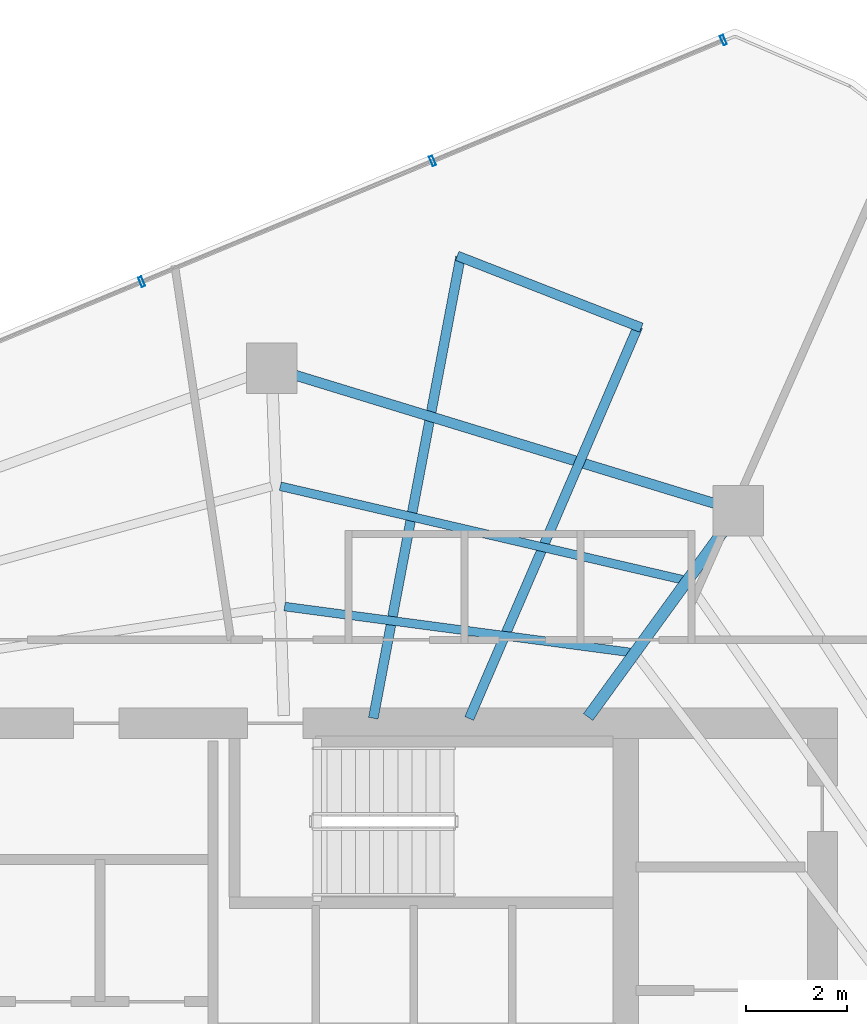
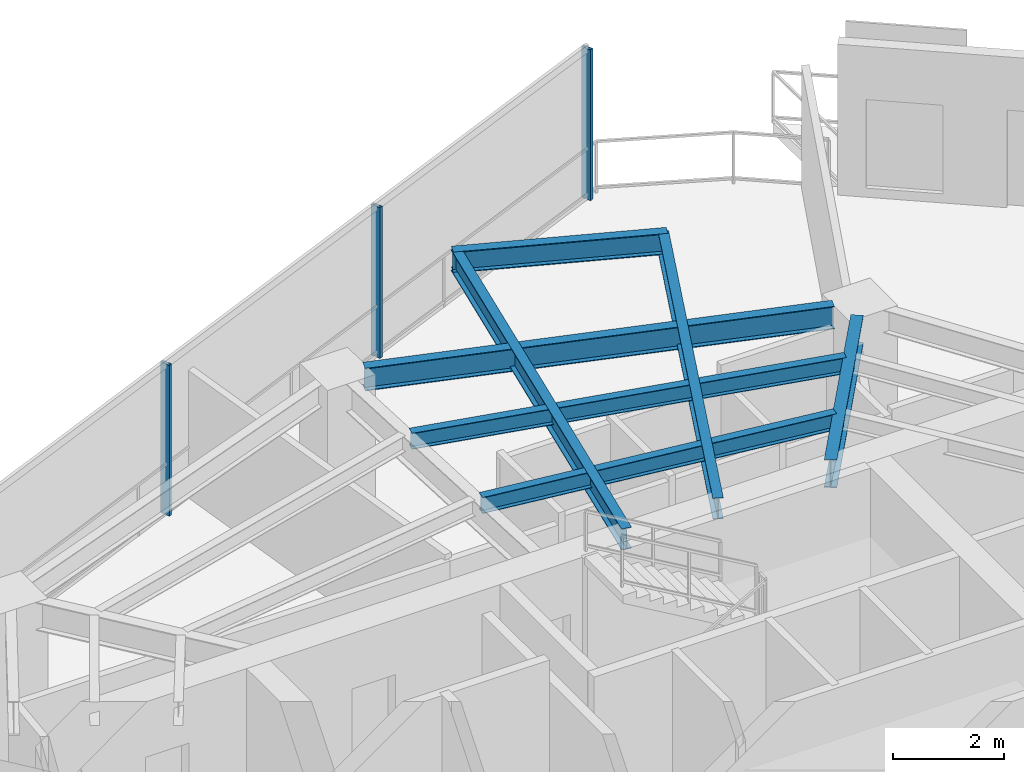
# One storey, part 13 of 20: 7 beams, 3 members, 1 element without a shape of its own.
"""IFC4 building model written with IfcOpenShell, lengths in metres."""

from ifc_helpers import new_model, si_unit, direction, frame, origin, origin_2d, place, context, subcontext, project, spatial, hollow_rectangle, i_section, extrude, material, layer, layer_set, material_profile, profile_set, type_object, element, aggregate, save


model = new_model("IFC4")

# Units and contexts
model_context = context("Model", 3, precision=1e-05, world=origin(), true_north=direction((0.0, 1.0)))
body_context = subcontext(model_context, "Body", "Model", "MODEL_VIEW")
ifc_project = project(units=[si_unit("LENGTHUNIT", "METRE"), si_unit("AREAUNIT", "SQUARE_METRE"), si_unit("VOLUMEUNIT", "CUBIC_METRE"), si_unit("PLANEANGLEUNIT", "RADIAN"), si_unit("MASSUNIT", "GRAM", prefix="KILO")], contexts=[model_context])

# Site, building, storey
site_placement = place(None, origin())
site = spatial("IfcSite", under=ifc_project, at=site_placement, CompositionType="ELEMENT")
building_placement = place(site_placement, origin())
building = spatial("IfcBuilding", under=site, at=building_placement, Name="Qarnah Convention Tower", CompositionType="ELEMENT")
storey_placement = place(building_placement, frame((0.0, 0.0, 150.89990234375)))
storey = spatial("IfcBuildingStorey", under=building, at=storey_placement, Name="L40", CompositionType="ELEMENT", Elevation=150.89990234375)

# Beams
ifc_material_1 = material(Name="Structural steel S355JR", Category="steel")
ifc_material_profile_1 = material_profile(ifc_material_1, i_section(OverallWidth=0.19189453125, OverallDepth=0.464111328125, WebThickness=0.010986328125, FlangeThickness=0.01806640625, at=origin_2d()), Name="W460X89")
ifc_profile_set_1 = profile_set([ifc_material_profile_1], Name="Structural steel S355JR")
beam_type_1 = type_object("IfcBeamType", Name="BM-CANT-W460A", PredefinedType="BEAM", material=ifc_profile_set_1)
beam_1_placement = place(storey_placement, frame((40.596923828125, 34.2919921875, 3.088134765625), z_axis=(0.395464433699, 0.918481290871, 0.0), x_axis=(-0.918481290871, 0.395464433699, 0.0)))
element("IfcBeam", 1, at=beam_1_placement, inside=storey, type_object=beam_type_1, Name="L40 beam BM-L40-CNT-01-1", PredefinedType="BEAM", context=body_context, shape_type="SweptSolid", body=[
    extrude(i_section(OverallWidth=0.19189453125, OverallDepth=0.464111328125, WebThickness=0.010986328125, FlangeThickness=0.01806640625, at=origin_2d()), origin(), (0.0, 0.0, 1.0), 8.4638671875),
])
beam_2_placement = place(storey_placement, frame((38.695068359375, 34.298095703125, 3.088134765625), z_axis=(0.185817043038, 0.982584361018, 0.0), x_axis=(-0.982584361018, 0.185817043038, 0.0)))
element("IfcBeam", 2, at=beam_2_placement, inside=storey, type_object=beam_type_1, Name="L40 beam BM-L40-CNT-01-2", PredefinedType="BEAM", context=body_context, shape_type="SweptSolid", body=[
    extrude(i_section(OverallWidth=0.19189453125, OverallDepth=0.464111328125, WebThickness=0.010986328125, FlangeThickness=0.01806640625, at=origin_2d()), origin(), (0.0, 0.0, 1.0), 9.304931640625),
])
beam_3_placement = place(storey_placement, frame((44.009033203125, 42.041015625, 3.088134765625), z_axis=(-0.931525629959, 0.363675680695, 0.0), x_axis=(-0.363675680695, -0.931525629959, 0.0)))
element("IfcBeam", 3, at=beam_3_placement, inside=storey, type_object=beam_type_1, Name="L40 spandrel BM-L40-CTIE-01", PredefinedType="SPANDREL", context=body_context, shape_type="SweptSolid", body=[
    extrude(i_section(OverallWidth=0.19189453125, OverallDepth=0.464111328125, WebThickness=0.010986328125, FlangeThickness=0.01806640625, at=origin_2d()), origin(), (0.0, 0.0, 1.0), 3.91845703125),
])
ifc_material_profile_2 = material_profile(ifc_material_1, i_section(OverallWidth=0.172119140625, OverallDepth=0.35595703125, WebThickness=0.007080078125, FlangeThickness=0.011962890625, at=origin_2d()), Name="W360X51")
ifc_profile_set_2 = profile_set([ifc_material_profile_2], Name="Structural steel S355JR")
beam_type_2 = type_object("IfcBeamType", Name="BM-JST-W360", PredefinedType="JOIST", material=ifc_profile_set_2)
beam_4_placement = place(storey_placement, frame((44.8310546875, 37.04296875, 3.14208984375), z_axis=(-0.974056627147, 0.226304412487, 0.0), x_axis=(-0.226304412487, -0.974056627147, 0.0)))
element("IfcBeam", 4, at=beam_4_placement, inside=storey, type_object=beam_type_2, Name="L40 joist BM-L40-SJST-02", PredefinedType="JOIST", context=body_context, shape_type="SweptSolid", body=[
    extrude(i_section(OverallWidth=0.172119140625, OverallDepth=0.35595703125, WebThickness=0.007080078125, FlangeThickness=0.011962890625, at=origin_2d()), origin(), (0.0, 0.0, 1.0), 8.192626953125),
])
beam_5_placement = place(storey_placement, frame((43.7880859375, 35.60302734375, 3.14208984375), z_axis=(-0.991316211877, 0.131499688478, 0.0), x_axis=(-0.131499688478, -0.991316211877, 0.0)))
element("IfcBeam", 5, at=beam_5_placement, inside=storey, type_object=beam_type_2, Name="L40 joist BM-L40-IJST-02", PredefinedType="JOIST", context=body_context, shape_type="SweptSolid", body=[
    extrude(i_section(OverallWidth=0.172119140625, OverallDepth=0.35595703125, WebThickness=0.007080078125, FlangeThickness=0.011962890625, at=origin_2d()), origin(), (0.0, 0.0, 1.0), 6.912109375),
])
ifc_material_profile_3 = material_profile(ifc_material_1, i_section(OverallWidth=0.22998046875, OverallDepth=0.617919921875, WebThickness=0.012939453125, FlangeThickness=0.02197265625, at=origin_2d()), Name="W610X140")
ifc_profile_set_3 = profile_set([ifc_material_profile_3], Name="Structural steel S355JR")
beam_type_3 = type_object("IfcBeamType", Name="BM-RAD-W610A", PredefinedType="BEAM", material=ifc_profile_set_3)
beam_6_placement = place(storey_placement, frame((42.955078125, 34.321044921875, 3.010986328125), z_axis=(0.58781027487, 0.808998813817, 0.0), x_axis=(-0.808998813817, 0.58781027487, 0.0)))
element("IfcBeam", 6, at=beam_6_placement, inside=storey, type_object=beam_type_3, Name="L40 beam BM-L40-RAD-02", PredefinedType="BEAM", context=body_context, shape_type="SweptSolid", body=[
    extrude(i_section(OverallWidth=0.22998046875, OverallDepth=0.617919921875, WebThickness=0.012939453125, FlangeThickness=0.02197265625, at=origin_2d()), origin(), (0.0, 0.0, 1.0), 4.57958984375),
])
ifc_material_profile_4 = material_profile(ifc_material_1, i_section(OverallWidth=0.199951171875, OverallDepth=0.5, WebThickness=0.010009765625, FlangeThickness=0.01611328125, at=origin_2d()), Name="IPE500")
ifc_profile_set_4 = profile_set([ifc_material_profile_4], Name="Structural steel S355JR")
beam_type_4 = type_object("IfcBeamType", Name="BM-SPN-IPE500", PredefinedType="SPANDREL", material=ifc_profile_set_4)
beam_7_placement = place(storey_placement, frame((45.4599609375, 38.556884765625, 3.070068359375), z_axis=(-0.956283054976, 0.292442676035, 0.0), x_axis=(-0.292442676035, -0.956283054976, 0.0)))
element("IfcBeam", 7, at=beam_7_placement, inside=storey, type_object=beam_type_4, Name="L40 spandrel BM-L40-SPN-02", PredefinedType="SPANDREL", context=body_context, shape_type="SweptSolid", body=[
    extrude(i_section(OverallWidth=0.199951171875, OverallDepth=0.5, WebThickness=0.010009765625, FlangeThickness=0.01611328125, at=origin_2d()), origin(), (0.0, 0.0, 1.0), 8.68896484375),
])

# Curtain wall, members
ifc_material_2 = material(Name="Tempered Low-E dark glass", Category="glass")
ifc_layer = layer(ifc_material_2, 0.172119140625)
ifc_layer_set = layer_set([ifc_layer], Name="Tempered Low-E dark glass")
curtain_wall_type = type_object("IfcCurtainWallType", Name="CWS-03", PredefinedType="NOTDEFINED", material=ifc_layer_set)
curtain_wall_placement = place(storey_placement, origin())
curtain_wall = element("IfcCurtainWall", 8, at=curtain_wall_placement, inside=storey, type_object=curtain_wall_type, Name="L40 unitised curtain wall CW-L40-F1", PredefinedType="NOTDEFINED")
ifc_material_3 = material(Name="Black anodised aluminium", Category="aluminium")
ifc_material_profile_5 = material_profile(ifc_material_3, hollow_rectangle(XDim=0.070068359375, YDim=0.199951171875, WallThickness=0.0048828125, at=origin_2d()), Name="MUL-70X200")
ifc_profile_set_5 = profile_set([ifc_material_profile_5], Name="Black anodised aluminium")
member_type = type_object("IfcMemberType", Name="MUL-T3", PredefinedType="MULLION", material=ifc_profile_set_5)
member_1_placement = place(storey_placement, frame((34.102294921875, 42.951904296875, 0.0), z_axis=(0.0, 0.0, 1.0), x_axis=(0.923479084372, 0.383648772613, 0.0)))
member_1 = element("IfcMember", 9, at=member_1_placement, type_object=member_type, Name="CW-L40-F1 mullion 4", PredefinedType="MULLION", context=body_context, shape_type="SweptSolid", body=[
    extrude(hollow_rectangle(XDim=0.070068359375, YDim=0.199951171875, WallThickness=0.0048828125, at=origin_2d()), origin(), (0.0, 0.0, 1.0), 3.320068359375),
])
member_2_placement = place(storey_placement, frame((39.86962890625, 45.347900390625, 0.0), z_axis=(0.0, 0.0, 1.0), x_axis=(0.923479084372, 0.383648772613, 0.0)))
member_2 = element("IfcMember", 10, at=member_2_placement, type_object=member_type, Name="CW-L40-F1 mullion 5", PredefinedType="MULLION", context=body_context, shape_type="SweptSolid", body=[
    extrude(hollow_rectangle(XDim=0.070068359375, YDim=0.199951171875, WallThickness=0.0048828125, at=origin_2d()), origin(), (0.0, 0.0, 1.0), 3.320068359375),
])
member_3_placement = place(storey_placement, frame((45.636962890625, 47.743896484375, 0.0), z_axis=(0.0, 0.0, 1.0), x_axis=(0.923479084372, 0.383648772613, 0.0)))
member_3 = element("IfcMember", 11, at=member_3_placement, type_object=member_type, Name="CW-L40-F1 mullion 6", PredefinedType="MULLION", context=body_context, shape_type="SweptSolid", body=[
    extrude(hollow_rectangle(XDim=0.070068359375, YDim=0.199951171875, WallThickness=0.0048828125, at=origin_2d()), origin(), (0.0, 0.0, 1.0), 3.320068359375),
])
aggregate(curtain_wall, [member_1, member_2, member_3])

save(model, "model.ifc")
